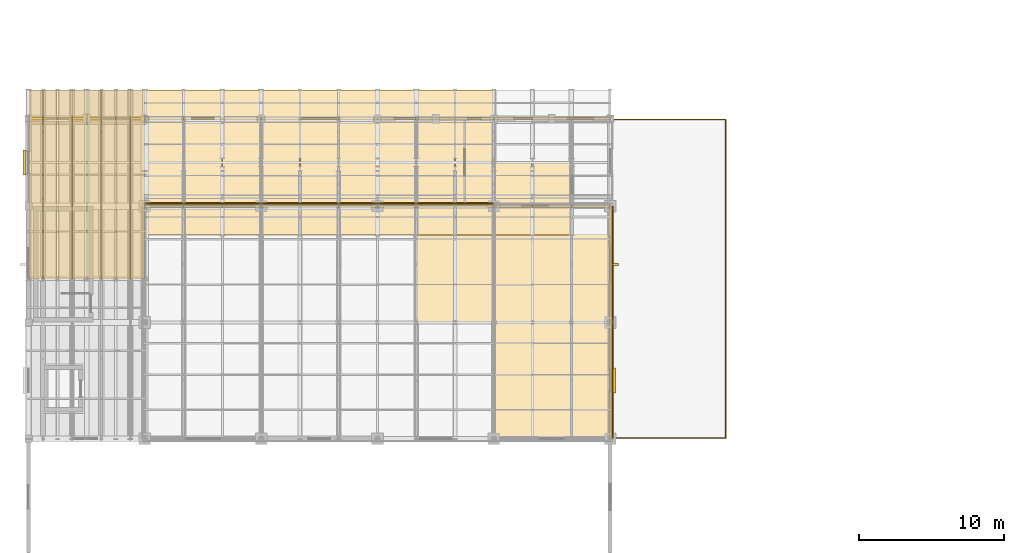
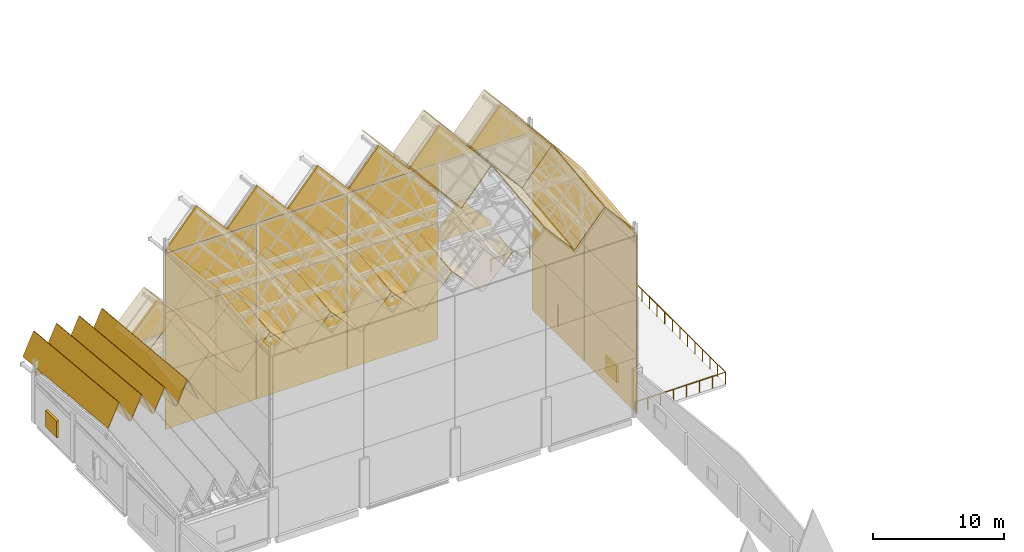
# One storey, part 45 of 48: 55 coverings, 3 shading devices, 1 railing.
"""IFC4 building model written with IfcOpenShell, lengths in metres."""

from ifc_helpers import new_model, si_unit, direction, frame, origin, origin_2d, place, context, subcontext, project, spatial, polyline, rectangle, circle, outline, extrude, material, layer, layer_set, type_object, element, save


model = new_model("IFC4")

# Units and contexts
model_context = context("Model", 3, precision=1e-05, world=origin(), true_north=direction((0.0, 1.0)))
body_context = subcontext(model_context, "Body", "Model", "MODEL_VIEW")
ifc_project = project(units=[si_unit("LENGTHUNIT", "METRE"), si_unit("AREAUNIT", "SQUARE_METRE"), si_unit("VOLUMEUNIT", "CUBIC_METRE"), si_unit("PLANEANGLEUNIT", "RADIAN"), si_unit("MASSUNIT", "GRAM", prefix="KILO")], contexts=[model_context])

# Site, building, storey
site_placement = place(None, origin())
site = spatial("IfcSite", under=ifc_project, at=site_placement, CompositionType="ELEMENT")
building_placement = place(site_placement, origin())
building = spatial("IfcBuilding", under=site, at=building_placement, Name="Luwemba Playhouse", CompositionType="ELEMENT")
storey_placement = place(building_placement, frame((0.0, 0.0, 13.800048828125)))
storey = spatial("IfcBuildingStorey", under=building, at=storey_placement, Name="L03", CompositionType="ELEMENT", Elevation=13.800048828125)

# Coverings
ifc_material_1 = material(Name="Ventilated glazed terracotta rainscreen cladding", Category="masonry")
ifc_layer_1 = layer(ifc_material_1, 0.080078125)
ifc_layer_set_1 = layer_set([ifc_layer_1], Name="Ventilated glazed terracotta rainscreen cladding")
covering_type_1 = type_object("IfcCoveringType", Name="COV-CLAD-TERRA", PredefinedType="CLADDING", material=ifc_layer_set_1)
for number, where, z_axis, x_axis, name in (
    (1, (16.0, 84.179931640625, 0.0), (0.0, 0.0, 1.0), (1.0, 0.0, 0.0), "Fly tower terracotta acoustic cladding 005"),
    (2, (24.0, 84.179931640625, 0.0), (0.0, 0.0, 1.0), (1.0, 0.0, 0.0), "Fly tower terracotta acoustic cladding 006"),
    (3, (32.0, 84.179931640625, 0.0), (0.0, 0.0, 1.0), (1.0, 0.0, 0.0), "Fly tower terracotta acoustic cladding 007"),
    (4, (44.179931640625, 72.0, 0.0), (0.0, 0.0, 1.0), (0.0, 1.0, 0.0), "Fly tower side terracotta cladding 011"),
    (5, (44.179931640625, 80.0, 0.0), (0.0, 0.0, 1.0), (0.0, 1.0, 0.0), "Fly tower side terracotta cladding 012"),
    (6, (16.0, 84.179931640625, 5.39990234375), (0.0, 0.0, 1.0), (1.0, 0.0, 0.0), "Fly tower terracotta acoustic cladding 017"),
    (7, (24.0, 84.179931640625, 5.39990234375), (0.0, 0.0, 1.0), (1.0, 0.0, 0.0), "Fly tower terracotta acoustic cladding 018"),
    (8, (32.0, 84.179931640625, 5.39990234375), (0.0, 0.0, 1.0), (1.0, 0.0, 0.0), "Fly tower terracotta acoustic cladding 019"),
    (9, (44.179931640625, 72.0, 5.39990234375), (0.0, 0.0, 1.0), (0.0, 1.0, 0.0), "Fly tower side terracotta cladding 023"),
    (10, (44.179931640625, 80.0, 5.39990234375), (0.0, 0.0, 1.0), (0.0, 1.0, 0.0), "Fly tower side terracotta cladding 024"),
):
    element("IfcCovering", number, at=place(storey_placement, frame(where, z_axis=z_axis, x_axis=x_axis)), inside=storey, type_object=covering_type_1, Name=name, PredefinedType="CLADDING", context=body_context, shape_type="SweptSolid", body=[
        extrude(rectangle(XDim=7.9599609375, YDim=0.080078125, at=origin_2d()), origin(), (0.0, 0.0, 1.0), 5.39990234375),
    ])
for number, where, z_axis, x_axis, name in (
    (11, (16.0, 84.179931640625, 10.800048828125), (0.0, 0.0, 1.0), (1.0, 0.0, 0.0), "Fly tower terracotta acoustic cladding 029"),
    (12, (24.0, 84.179931640625, 10.800048828125), (0.0, 0.0, 1.0), (1.0, 0.0, 0.0), "Fly tower terracotta acoustic cladding 030"),
    (13, (32.0, 84.179931640625, 10.800048828125), (0.0, 0.0, 1.0), (1.0, 0.0, 0.0), "Fly tower terracotta acoustic cladding 031"),
    (14, (44.179931640625, 72.0, 10.800048828125), (0.0, 0.0, 1.0), (0.0, 1.0, 0.0), "Fly tower side terracotta cladding 035"),
    (15, (44.179931640625, 80.0, 10.800048828125), (0.0, 0.0, 1.0), (0.0, 1.0, 0.0), "Fly tower side terracotta cladding 036"),
):
    element("IfcCovering", number, at=place(storey_placement, frame(where, z_axis=z_axis, x_axis=x_axis)), inside=storey, type_object=covering_type_1, Name=name, PredefinedType="CLADDING", context=body_context, shape_type="SweptSolid", body=[
        extrude(rectangle(XDim=7.9599609375, YDim=0.080078125, at=origin_2d()), origin(), (0.0, 0.0, 1.0), 5.89990234375),
    ])
ifc_material_2 = material(Name="Glazed terracotta clay roof tile", Category="masonry")
ifc_layer_2 = layer(ifc_material_2, 0.06494140625)
ifc_layer_set_2 = layer_set([ifc_layer_2], Name="Glazed terracotta clay roof tile")
covering_type_2 = type_object("IfcCoveringType", Name="COV-ROOF-TILE", PredefinedType="ROOFING", material=ifc_layer_set_2)
covering_1_placement = place(storey_placement, frame((30.691650390625, 76.0, 21.096923828125), z_axis=(0.756352795447, 0.072916976408, 0.65008735057), x_axis=(0.651822492795, 0.0, -0.758371569804)))
element("IfcCovering", 16, at=covering_1_placement, inside=storey, type_object=covering_type_2, Name="RF-V2-FLY glazed clay-tile roofing 8N", PredefinedType="ROOFING", context=body_context, shape_type="SweptSolid", body=[
    extrude(outline(polyline([(0.0, 0.0), (4.014435291315629, 0.0), (4.899078689880471, 10.427660628358066), (0.8846433985648422, 10.427660628358066), (0.0, 0.0)])), origin(), (0.0, 0.0, -1.0), 0.06494140625),
])
covering_2_placement = place(storey_placement, frame((33.3583984375, 76.0, 18.05224609375), z_axis=(-0.756378749266, 0.072913631389, 0.650057528236), x_axis=(0.651792431039, 0.0, 0.758397406931)))
element("IfcCovering", 17, at=covering_2_placement, inside=storey, type_object=covering_type_2, Name="RF-V2-FLY glazed clay-tile roofing 9N", PredefinedType="ROOFING", context=body_context, shape_type="SweptSolid", body=[
    extrude(outline(polyline([(0.0, 0.0), (4.014620443778682, 0.0), (3.12994690610349, 10.427658071425746), (-0.8846735376751924, 10.427658071425745), (0.0, 0.0)])), origin(), (0.0, 0.0, -1.0), 0.06494140625),
])
covering_3_placement = place(storey_placement, frame((36.02490234375, 68.0, 20.199462890625), z_axis=(0.756365684319, -0.072916899741, 0.650072363139), x_axis=(0.651807541617, 1.44137e-06, -0.758384420126)))
element("IfcCovering", 18, at=covering_3_placement, inside=storey, type_object=covering_type_2, Name="RF-V2-FLY glazed clay-tile roofing 10S", PredefinedType="ROOFING", context=body_context, shape_type="SweptSolid", body=[
    extrude(outline(polyline([(0.0, 0.0), (4.014435290531317, 2.7755575615628914e-17), (3.334011581266755, 8.021347863680278), (-0.6806088617108816, 8.021359467409614), (0.0, 0.0)])), origin(), (0.0, 0.0, -1.0), 0.06494140625),
])
covering_4_placement = place(storey_placement, frame((36.02490234375, 76.0, 21.096923828125), z_axis=(0.756378749266, 0.072913631389, 0.650057528236), x_axis=(0.651792431039, 0.0, -0.758397406931)))
element("IfcCovering", 19, at=covering_4_placement, inside=storey, type_object=covering_type_2, Name="RF-V2-FLY glazed clay-tile roofing 10N", PredefinedType="ROOFING", context=body_context, shape_type="SweptSolid", body=[
    extrude(outline(polyline([(0.0, 0.0), (4.014620443778682, 0.0), (4.899293981453875, 10.427658071425745), (0.8846735376751924, 10.427658071425745), (0.0, 0.0)])), origin(), (0.0, 0.0, -1.0), 0.06494140625),
])
covering_5_placement = place(storey_placement, frame((38.691650390625, 68.0, 17.155029296875), z_axis=(-0.756352159839, -0.072928439101, 0.650086804263), x_axis=(0.651822492795, 0.0, 0.758371569804)))
element("IfcCovering", 20, at=covering_5_placement, inside=storey, type_object=covering_type_2, Name="RF-V2-FLY glazed clay-tile roofing 11S", PredefinedType="ROOFING", context=body_context, shape_type="SweptSolid", body=[
    extrude(outline(polyline([(0.0, 0.0), (4.014435291315629, 0.0), (4.695044151324913, 8.02135946794652), (0.6806088600092842, 8.021359467946517), (0.0, 0.0)])), origin(), (0.0, 0.0, -1.0), 0.06494140625),
])
covering_6_placement = place(storey_placement, frame((38.691650390625, 76.0, 18.052490234375), z_axis=(-0.756352795447, 0.072916976408, 0.65008735057), x_axis=(0.651822492795, 0.0, 0.758371569804)))
element("IfcCovering", 21, at=covering_6_placement, inside=storey, type_object=covering_type_2, Name="RF-V2-FLY glazed clay-tile roofing 11N", PredefinedType="ROOFING", context=body_context, shape_type="SweptSolid", body=[
    extrude(outline(polyline([(0.0, 0.0), (4.014435291315629, 0.0), (3.129791892750787, 10.427660628358066), (-0.8846433985648422, 10.427660628358066), (0.0, 0.0)])), origin(), (0.0, 0.0, -1.0), 0.06494140625),
])
covering_7_placement = place(storey_placement, frame((41.3583984375, 68.0, 20.19970703125), z_axis=(0.7563792078, -0.072905360855, 0.650057922316), x_axis=(0.651792431039, 0.0, -0.758397406931)))
element("IfcCovering", 22, at=covering_7_placement, inside=storey, type_object=covering_type_2, Name="RF-V2-FLY glazed clay-tile roofing 12S", PredefinedType="ROOFING", context=body_context, shape_type="SweptSolid", body=[
    extrude(outline(polyline([(0.0, 0.0), (4.014620443778682, 0.0), (3.334173551573506, 8.021345897508905), (-0.6804468922051762, 8.021345897508905), (0.0, 0.0)])), origin(), (0.0, 0.0, -1.0), 0.06494140625),
])
covering_8_placement = place(storey_placement, frame((41.3583984375, 76.0, 21.096923828125), z_axis=(0.756378749266, 0.072913631389, 0.650057528236), x_axis=(0.651792431039, 0.0, -0.758397406931)))
element("IfcCovering", 23, at=covering_8_placement, inside=storey, type_object=covering_type_2, Name="RF-V2-FLY glazed clay-tile roofing 12N", PredefinedType="ROOFING", context=body_context, shape_type="SweptSolid", body=[
    extrude(outline(polyline([(0.0, 0.0), (4.014620443778682, 0.0), (4.899293981453875, 10.427658071425745), (0.8846735376751924, 10.427658071425745), (0.0, 0.0)])), origin(), (0.0, 0.0, -1.0), 0.06494140625),
])
covering_9_placement = place(storey_placement, frame((4.02490234375, 79.0, 6.00439453125), z_axis=(-0.907919315358, 0.038851352843, 0.417340495497), x_axis=(0.417655825152, 0.0, 0.908605311296)))
element("IfcCovering", 24, at=covering_9_placement, inside=storey, type_object=covering_type_2, Name="RF-V2-LOW glazed clay-tile roofing 1N", PredefinedType="ROOFING", context=body_context, shape_type="SweptSolid", body=[
    extrude(outline(polyline([(0.0, 0.0), (2.2750677837502145, 6.938893903907228e-18), (1.1754690220078445, 13.009822400566975), (-1.0995987617423697, 13.009822400566975), (0.0, 0.0)])), origin(), (0.0, 0.0, -1.0), 0.06494140625),
])
covering_10_placement = place(storey_placement, frame((5.02490234375, 79.0, 8.071533203125), z_axis=(0.907919315358, 0.038851352843, 0.417340495497), x_axis=(0.417655825152, 0.0, -0.908605311296)))
element("IfcCovering", 25, at=covering_10_placement, inside=storey, type_object=covering_type_2, Name="RF-V2-LOW glazed clay-tile roofing 2N", PredefinedType="ROOFING", context=body_context, shape_type="SweptSolid", body=[
    extrude(outline(polyline([(0.0, 0.0), (2.2750677837502145, -6.938893903907228e-18), (3.374666545492584, 13.009822400566973), (1.0995987617423697, 13.009822400566975), (0.0, 0.0)])), origin(), (0.0, 0.0, -1.0), 0.06494140625),
])
covering_11_placement = place(storey_placement, frame((6.02490234375, 79.0, 6.00439453125), z_axis=(-0.907919315358, 0.038851352843, 0.417340495497), x_axis=(0.417655825152, 0.0, 0.908605311296)))
element("IfcCovering", 26, at=covering_11_placement, inside=storey, type_object=covering_type_2, Name="RF-V2-LOW glazed clay-tile roofing 3N", PredefinedType="ROOFING", context=body_context, shape_type="SweptSolid", body=[
    extrude(outline(polyline([(0.0, 0.0), (2.2750677837502145, 6.938893903907228e-18), (1.1754690220078445, 13.009822400566975), (-1.0995987617423697, 13.009822400566975), (0.0, 0.0)])), origin(), (0.0, 0.0, -1.0), 0.06494140625),
])
covering_12_placement = place(storey_placement, frame((7.02490234375, 79.0, 8.071533203125), z_axis=(0.907919315358, 0.038851352843, 0.417340495497), x_axis=(0.417655825152, 0.0, -0.908605311296)))
element("IfcCovering", 27, at=covering_12_placement, inside=storey, type_object=covering_type_2, Name="RF-V2-LOW glazed clay-tile roofing 4N", PredefinedType="ROOFING", context=body_context, shape_type="SweptSolid", body=[
    extrude(outline(polyline([(0.0, 0.0), (2.2750677837502145, -6.938893903907228e-18), (3.374666545492584, 13.009822400566973), (1.0995987617423697, 13.009822400566975), (0.0, 0.0)])), origin(), (0.0, 0.0, -1.0), 0.06494140625),
])
covering_13_placement = place(storey_placement, frame((8.02490234375, 79.0, 6.00439453125), z_axis=(-0.907919315358, 0.038851352843, 0.417340495497), x_axis=(0.417655825152, 0.0, 0.908605311296)))
element("IfcCovering", 28, at=covering_13_placement, inside=storey, type_object=covering_type_2, Name="RF-V2-LOW glazed clay-tile roofing 5N", PredefinedType="ROOFING", context=body_context, shape_type="SweptSolid", body=[
    extrude(outline(polyline([(0.0, 0.0), (2.2750677837502145, 6.938893903907228e-18), (1.1754690220078445, 13.009822400566975), (-1.0995987617423697, 13.009822400566975), (0.0, 0.0)])), origin(), (0.0, 0.0, -1.0), 0.06494140625),
])
covering_14_placement = place(storey_placement, frame((9.02490234375, 79.0, 8.071533203125), z_axis=(0.907919315358, 0.038851352843, 0.417340495497), x_axis=(0.417655825152, 0.0, -0.908605311296)))
element("IfcCovering", 29, at=covering_14_placement, inside=storey, type_object=covering_type_2, Name="RF-V2-LOW glazed clay-tile roofing 6N", PredefinedType="ROOFING", context=body_context, shape_type="SweptSolid", body=[
    extrude(outline(polyline([(0.0, 0.0), (2.2750677837502145, -6.938893903907228e-18), (3.374666545492584, 13.009822400566973), (1.0995987617423697, 13.009822400566975), (0.0, 0.0)])), origin(), (0.0, 0.0, -1.0), 0.06494140625),
])
covering_15_placement = place(storey_placement, frame((10.02490234375, 79.0, 6.00439453125), z_axis=(-0.907919315358, 0.038851352843, 0.417340495497), x_axis=(0.417655825152, 0.0, 0.908605311296)))
element("IfcCovering", 30, at=covering_15_placement, inside=storey, type_object=covering_type_2, Name="RF-V2-LOW glazed clay-tile roofing 7N", PredefinedType="ROOFING", context=body_context, shape_type="SweptSolid", body=[
    extrude(outline(polyline([(0.0, 0.0), (2.2750677837502145, 6.938893903907228e-18), (1.1754690220078445, 13.009822400566975), (-1.0995987617423697, 13.009822400566975), (0.0, 0.0)])), origin(), (0.0, 0.0, -1.0), 0.06494140625),
])
covering_16_placement = place(storey_placement, frame((11.02490234375, 79.0, 8.071533203125), z_axis=(0.907919315358, 0.038851352843, 0.417340495497), x_axis=(0.417655825152, 0.0, -0.908605311296)))
element("IfcCovering", 31, at=covering_16_placement, inside=storey, type_object=covering_type_2, Name="RF-V2-LOW glazed clay-tile roofing 8N", PredefinedType="ROOFING", context=body_context, shape_type="SweptSolid", body=[
    extrude(outline(polyline([(0.0, 0.0), (2.2750677837502145, -6.938893903907228e-18), (3.374666545492584, 13.009822400566973), (1.0995987617423697, 13.009822400566975), (0.0, 0.0)])), origin(), (0.0, 0.0, -1.0), 0.06494140625),
])
covering_17_placement = place(storey_placement, frame((12.02490234375, 82.0, 4.728515625), z_axis=(-0.729679064046, -0.076214760844, 0.679529082322), x_axis=(0.681511308934, 0.0, 0.731807581127)))
element("IfcCovering", 32, at=covering_17_placement, inside=storey, type_object=covering_type_2, Name="RF-V2-NORTH glazed clay-tile roofing 1S", PredefinedType="ROOFING", context=body_context, shape_type="SweptSolid", body=[
    extrude(outline(polyline([(0.0, 0.0), (3.8395536280142, 0.0), (4.249944744676563, 5.014585296370015), (0.4103911166623626, 5.014585296370014), (0.0, 0.0)])), origin(), (0.0, 0.0, -1.0), 0.06494140625),
])
for number, where, z_axis, x_axis, name in (
    (33, (12.02490234375, 87.0, 5.289306640625), (-0.729679064046, 0.076214760844, 0.679529082322), (0.681511308934, 0.0, 0.731807581127), "RF-V2-NORTH glazed clay-tile roofing 1N"),
    (34, (14.691650390625, 82.0, 7.538330078125), (0.729679064046, -0.076214760844, 0.679529082322), (0.681511308934, 0.0, -0.731807581127), "RF-V2-NORTH glazed clay-tile roofing 2S"),
):
    element("IfcCovering", number, at=place(storey_placement, frame(where, z_axis=z_axis, x_axis=x_axis)), inside=storey, type_object=covering_type_2, Name=name, PredefinedType="ROOFING", context=body_context, shape_type="SweptSolid", body=[
        extrude(outline(polyline([(0.0, 0.0), (3.8395536280142, 0.0), (3.4291625113518376, 5.014585296370014), (-0.4103911166623626, 5.014585296370014), (0.0, 0.0)])), origin(), (0.0, 0.0, -1.0), 0.06494140625),
    ])
for number, where, z_axis, x_axis, name in (
    (35, (14.691650390625, 87.0, 8.09912109375), (0.729679064046, 0.076214760844, 0.679529082322), (0.681511308934, 0.0, -0.731807581127), "RF-V2-NORTH glazed clay-tile roofing 2N"),
    (36, (17.3583984375, 82.0, 4.728515625), (-0.729679064046, -0.076214760844, 0.679529082322), (0.681511308934, 0.0, 0.731807581127), "RF-V2-NORTH glazed clay-tile roofing 3S"),
):
    element("IfcCovering", number, at=place(storey_placement, frame(where, z_axis=z_axis, x_axis=x_axis)), inside=storey, type_object=covering_type_2, Name=name, PredefinedType="ROOFING", context=body_context, shape_type="SweptSolid", body=[
        extrude(outline(polyline([(0.0, 0.0), (3.8395536280142, 0.0), (4.249944744676563, 5.014585296370015), (0.4103911166623626, 5.014585296370014), (0.0, 0.0)])), origin(), (0.0, 0.0, -1.0), 0.06494140625),
    ])
for number, where, z_axis, x_axis, name in (
    (37, (17.3583984375, 87.0, 5.289306640625), (-0.729679064046, 0.076214760844, 0.679529082322), (0.681511308934, 0.0, 0.731807581127), "RF-V2-NORTH glazed clay-tile roofing 3N"),
    (38, (20.02490234375, 82.0, 7.538330078125), (0.729679064046, -0.076214760844, 0.679529082322), (0.681511308934, 0.0, -0.731807581127), "RF-V2-NORTH glazed clay-tile roofing 4S"),
):
    element("IfcCovering", number, at=place(storey_placement, frame(where, z_axis=z_axis, x_axis=x_axis)), inside=storey, type_object=covering_type_2, Name=name, PredefinedType="ROOFING", context=body_context, shape_type="SweptSolid", body=[
        extrude(outline(polyline([(0.0, 0.0), (3.8395536280142, 0.0), (3.4291625113518376, 5.014585296370014), (-0.4103911166623626, 5.014585296370014), (0.0, 0.0)])), origin(), (0.0, 0.0, -1.0), 0.06494140625),
    ])
for number, where, z_axis, x_axis, name in (
    (39, (20.02490234375, 87.0, 8.09912109375), (0.729679064046, 0.076214760844, 0.679529082322), (0.681511308934, 0.0, -0.731807581127), "RF-V2-NORTH glazed clay-tile roofing 4N"),
    (40, (22.691650390625, 82.0, 4.728515625), (-0.729679064046, -0.076214760844, 0.679529082322), (0.681511308934, 0.0, 0.731807581127), "RF-V2-NORTH glazed clay-tile roofing 5S"),
):
    element("IfcCovering", number, at=place(storey_placement, frame(where, z_axis=z_axis, x_axis=x_axis)), inside=storey, type_object=covering_type_2, Name=name, PredefinedType="ROOFING", context=body_context, shape_type="SweptSolid", body=[
        extrude(outline(polyline([(0.0, 0.0), (3.8395536280142, 0.0), (4.249944744676563, 5.014585296370015), (0.4103911166623626, 5.014585296370014), (0.0, 0.0)])), origin(), (0.0, 0.0, -1.0), 0.06494140625),
    ])
for number, where, z_axis, x_axis, name in (
    (41, (22.691650390625, 87.0, 5.289306640625), (-0.729679064046, 0.076214760844, 0.679529082322), (0.681511308934, 0.0, 0.731807581127), "RF-V2-NORTH glazed clay-tile roofing 5N"),
    (42, (25.3583984375, 82.0, 7.538330078125), (0.729679064046, -0.076214760844, 0.679529082322), (0.681511308934, 0.0, -0.731807581127), "RF-V2-NORTH glazed clay-tile roofing 6S"),
):
    element("IfcCovering", number, at=place(storey_placement, frame(where, z_axis=z_axis, x_axis=x_axis)), inside=storey, type_object=covering_type_2, Name=name, PredefinedType="ROOFING", context=body_context, shape_type="SweptSolid", body=[
        extrude(outline(polyline([(0.0, 0.0), (3.8395536280142, 0.0), (3.4291625113518376, 5.014585296370014), (-0.4103911166623626, 5.014585296370014), (0.0, 0.0)])), origin(), (0.0, 0.0, -1.0), 0.06494140625),
    ])
for number, where, z_axis, x_axis, name in (
    (43, (25.3583984375, 87.0, 8.09912109375), (0.729679064046, 0.076214760844, 0.679529082322), (0.681511308934, 0.0, -0.731807581127), "RF-V2-NORTH glazed clay-tile roofing 6N"),
    (44, (28.02490234375, 82.0, 4.728515625), (-0.729679064046, -0.076214760844, 0.679529082322), (0.681511308934, 0.0, 0.731807581127), "RF-V2-NORTH glazed clay-tile roofing 7S"),
):
    element("IfcCovering", number, at=place(storey_placement, frame(where, z_axis=z_axis, x_axis=x_axis)), inside=storey, type_object=covering_type_2, Name=name, PredefinedType="ROOFING", context=body_context, shape_type="SweptSolid", body=[
        extrude(outline(polyline([(0.0, 0.0), (3.8395536280142, 0.0), (4.249944744676563, 5.014585296370015), (0.4103911166623626, 5.014585296370014), (0.0, 0.0)])), origin(), (0.0, 0.0, -1.0), 0.06494140625),
    ])
for number, where, z_axis, x_axis, name in (
    (45, (28.02490234375, 87.0, 5.289306640625), (-0.729679064046, 0.076214760844, 0.679529082322), (0.681511308934, 0.0, 0.731807581127), "RF-V2-NORTH glazed clay-tile roofing 7N"),
    (46, (30.691650390625, 82.0, 7.538330078125), (0.729679064046, -0.076214760844, 0.679529082322), (0.681511308934, 0.0, -0.731807581127), "RF-V2-NORTH glazed clay-tile roofing 8S"),
):
    element("IfcCovering", number, at=place(storey_placement, frame(where, z_axis=z_axis, x_axis=x_axis)), inside=storey, type_object=covering_type_2, Name=name, PredefinedType="ROOFING", context=body_context, shape_type="SweptSolid", body=[
        extrude(outline(polyline([(0.0, 0.0), (3.8395536280142, 0.0), (3.4291625113518376, 5.014585296370014), (-0.4103911166623626, 5.014585296370014), (0.0, 0.0)])), origin(), (0.0, 0.0, -1.0), 0.06494140625),
    ])
for number, where, z_axis, x_axis, name in (
    (47, (30.691650390625, 87.0, 8.09912109375), (0.729679064046, 0.076214760844, 0.679529082322), (0.681511308934, 0.0, -0.731807581127), "RF-V2-NORTH glazed clay-tile roofing 8N"),
    (48, (33.3583984375, 82.0, 4.728515625), (-0.729679064046, -0.076214760844, 0.679529082322), (0.681511308934, 0.0, 0.731807581127), "RF-V2-NORTH glazed clay-tile roofing 9S"),
):
    element("IfcCovering", number, at=place(storey_placement, frame(where, z_axis=z_axis, x_axis=x_axis)), inside=storey, type_object=covering_type_2, Name=name, PredefinedType="ROOFING", context=body_context, shape_type="SweptSolid", body=[
        extrude(outline(polyline([(0.0, 0.0), (3.8395536280142, 0.0), (4.249944744676563, 5.014585296370015), (0.4103911166623626, 5.014585296370014), (0.0, 0.0)])), origin(), (0.0, 0.0, -1.0), 0.06494140625),
    ])
for number, where, z_axis, x_axis, name in (
    (49, (33.3583984375, 87.0, 5.289306640625), (-0.729679064046, 0.076214760844, 0.679529082322), (0.681511308934, 0.0, 0.731807581127), "RF-V2-NORTH glazed clay-tile roofing 9N"),
    (50, (36.02490234375, 82.0, 7.538330078125), (0.729679064046, -0.076214760844, 0.679529082322), (0.681511308934, 0.0, -0.731807581127), "RF-V2-NORTH glazed clay-tile roofing 10S"),
):
    element("IfcCovering", number, at=place(storey_placement, frame(where, z_axis=z_axis, x_axis=x_axis)), inside=storey, type_object=covering_type_2, Name=name, PredefinedType="ROOFING", context=body_context, shape_type="SweptSolid", body=[
        extrude(outline(polyline([(0.0, 0.0), (3.8395536280142, 0.0), (3.4291625113518376, 5.014585296370014), (-0.4103911166623626, 5.014585296370014), (0.0, 0.0)])), origin(), (0.0, 0.0, -1.0), 0.06494140625),
    ])
covering_18_placement = place(storey_placement, frame((38.691650390625, 82.0, 4.728515625), z_axis=(-0.729679064046, -0.076214760844, 0.679529082322), x_axis=(0.681511308934, 0.0, 0.731807581127)))
element("IfcCovering", 51, at=covering_18_placement, inside=storey, type_object=covering_type_2, Name="RF-V2-NORTH glazed clay-tile roofing 11S", PredefinedType="ROOFING", context=body_context, shape_type="SweptSolid", body=[
    extrude(outline(polyline([(0.0, 0.0), (3.8395536280142, 0.0), (4.249944744676563, 5.014585296370015), (0.4103911166623626, 5.014585296370014), (0.0, 0.0)])), origin(), (0.0, 0.0, -1.0), 0.06494140625),
])
ifc_material_3 = material(Name="Structural timber GL24h gable wall infill", Category="wood")
ifc_layer_3 = layer(ifc_material_3, 0.179931640625)
ifc_layer_set_3 = layer_set([ifc_layer_3], Name="Structural timber GL24h gable wall infill")
covering_type_3 = type_object("IfcCoveringType", Name="COV-TIM-TYMP", PredefinedType="CLADDING", material=ifc_layer_set_3)
covering_19_placement = place(storey_placement, frame((12.0, 84.0, 16.52001953125), z_axis=(0.0, 0.0, 1.0), x_axis=(1.0, 0.0, 0.0)))
element("IfcCovering", 52, at=covering_19_placement, inside=storey, type_object=covering_type_3, Name="RF-V2-FLY north pleated timber fold wall 005", PredefinedType="CLADDING", context=body_context, shape_type="SweptSolid", body=[
    extrude(outline(polyline([(0.0, 0.0), (32.0, 0.0), (32.0, 0.375), (29.333251953125, 3.4775390625), (26.666748046875, 0.375), (24.0, 3.4775390625), (21.333251953125, 0.375), (18.666748046875, 3.4775390625), (16.0, 0.375), (13.333251953125, 3.4775390625), (10.666748046875, 0.375), (8.0, 3.4775390625), (5.333251953125, 0.375), (2.666748046875, 3.4775390625), (0.0, 0.375), (0.0, 0.0)])), frame((0.0, 0.08984375, 0.0), z_axis=(0.0, -1.0, 0.0), x_axis=(1.0, 0.0, 0.0)), (0.0, 0.0, 1.0), 0.179931640625),
])
covering_20_placement = place(storey_placement, frame((44.0, 84.0, 15.97998046875), z_axis=(0.0, 0.0, 1.0), x_axis=(0.0, -1.0, 0.0)))
element("IfcCovering", 53, at=covering_20_placement, inside=storey, type_object=covering_type_3, Name="RF-V2-FLY east timber gable infill 007", PredefinedType="CLADDING", context=body_context, shape_type="SweptSolid", body=[
    extrude(outline(polyline([(0.0, 0.0), (16.0, 0.0), (16.0, 0.9150390625), (8.0, 1.812255859375), (0.0, 0.9150390625), (0.0, 0.0)])), frame((0.0, 0.08984375, 0.0), z_axis=(0.0, -1.0, 0.0), x_axis=(1.0, 0.0, 0.0)), (0.0, 0.0, 1.0), 0.179931640625),
])
covering_21_placement = place(storey_placement, frame((4.0, 90.0, 4.320068359375), z_axis=(0.0, 0.0, 1.0), x_axis=(1.0, 0.0, 0.0)))
element("IfcCovering", 54, at=covering_21_placement, inside=storey, type_object=covering_type_3, Name="RF-V2-LOW north pleated timber fold wall 008", PredefinedType="CLADDING", context=body_context, shape_type="SweptSolid", body=[
    extrude(outline(polyline([(0.0, 0.0), (8.0, 0.0), (8.0, 0.375), (7.0, 2.55078125), (6.0, 0.375), (5.0, 2.55078125), (4.0, 0.375), (3.0, 2.55078125), (2.0, 0.375), (1.0, 2.55078125), (0.0, 0.375), (0.0, 0.0)])), frame((0.0, 0.08984375, 0.0), z_axis=(0.0, -1.0, 0.0), x_axis=(1.0, 0.0, 0.0)), (0.0, 0.0, 1.0), 0.179931640625),
])
covering_22_placement = place(storey_placement, frame((12.0, 90.0, 4.320068359375), z_axis=(0.0, 0.0, 1.0), x_axis=(1.0, 0.0, 0.0)))
element("IfcCovering", 55, at=covering_22_placement, inside=storey, type_object=covering_type_3, Name="RF-V2-NORTH north pleated timber fold wall 010", PredefinedType="CLADDING", context=body_context, shape_type="SweptSolid", body=[
    extrude(outline(polyline([(0.0, 0.0), (32.0, 0.0), (32.0, 0.375), (29.333251953125, 3.23828125), (26.666748046875, 0.375), (24.0, 3.23828125), (21.333251953125, 0.375), (18.666748046875, 3.23828125), (16.0, 0.375), (13.333251953125, 3.23828125), (10.666748046875, 0.375), (8.0, 3.23828125), (5.333251953125, 0.375), (2.666748046875, 3.23828125), (0.0, 0.375), (0.0, 0.0)])), frame((0.0, 0.08984375, 0.0), z_axis=(0.0, -1.0, 0.0), x_axis=(1.0, 0.0, 0.0)), (0.0, 0.0, 1.0), 0.179931640625),
])

# Railing
ifc_material_4 = material(Name="Painted wrought-iron balustrade", Category="steel")
railing_type = type_object("IfcRailingType", Name="RLG-BAL-EXT", PredefinedType="BALUSTRADE", material=ifc_material_4)
railing_placement = place(storey_placement, frame((44.0, 68.050048828125, 0.0)))
element("IfcRailing", 56, at=railing_placement, inside=storey, type_object=railing_type, Name="L03 Stage House East Terrace perimeter guard", PredefinedType="BALUSTRADE", context=body_context, shape_type="SweptSolid", body=[
    extrude(circle(Radius=0.02392578125, at=origin_2d()), frame((0.0, 0.0, 1.09619140625), z_axis=(1.0, 0.0, 0.0), x_axis=(0.0, 1.0, 0.0)), (0.0, 0.0, 1.0), 7.949951171875),
    extrude(circle(Radius=0.02392578125, at=origin_2d()), frame((7.949951171875, 0.0, 1.09619140625), z_axis=(0.0, 1.0, 0.0), x_axis=(-1.0, 0.0, 0.0)), (0.0, 0.0, 1.0), 21.89990234375),
    extrude(circle(Radius=0.02392578125, at=origin_2d()), frame((7.949951171875, 21.89990234375, 1.09619140625), z_axis=(-1.0, 0.0, 0.0), x_axis=(0.0, -1.0, 0.0)), (0.0, 0.0, 1.0), 7.949951171875),
    extrude(circle(Radius=0.02099609375, at=origin_2d()), origin(), (0.0, 0.0, 1.0), 1.072021484375),
    extrude(circle(Radius=0.02099609375, at=origin_2d()), frame((1.1357421875, 0.0, 0.0)), (0.0, 0.0, 1.0), 1.072021484375),
    extrude(circle(Radius=0.02099609375, at=origin_2d()), frame((2.271484375, 0.0, 0.0)), (0.0, 0.0, 1.0), 1.072021484375),
    extrude(circle(Radius=0.02099609375, at=origin_2d()), frame((3.4072265625, 0.0, 0.0)), (0.0, 0.0, 1.0), 1.072021484375),
    extrude(circle(Radius=0.02099609375, at=origin_2d()), frame((4.542724609375, 0.0, 0.0)), (0.0, 0.0, 1.0), 1.072021484375),
    extrude(circle(Radius=0.02099609375, at=origin_2d()), frame((5.678466796875, 0.0, 0.0)), (0.0, 0.0, 1.0), 1.072021484375),
    extrude(circle(Radius=0.02099609375, at=origin_2d()), frame((6.814208984375, 0.0, 0.0)), (0.0, 0.0, 1.0), 1.072021484375),
    extrude(circle(Radius=0.02099609375, at=origin_2d()), frame((7.949951171875, 0.0, 0.0)), (0.0, 0.0, 1.0), 1.072021484375),
    extrude(circle(Radius=0.02099609375, at=origin_2d()), frame((7.949951171875, 1.152587890625, 0.0)), (0.0, 0.0, 1.0), 1.072021484375),
    extrude(circle(Radius=0.02099609375, at=origin_2d()), frame((7.949951171875, 2.30517578125, 0.0)), (0.0, 0.0, 1.0), 1.072021484375),
    extrude(circle(Radius=0.02099609375, at=origin_2d()), frame((7.949951171875, 3.457763671875, 0.0)), (0.0, 0.0, 1.0), 1.072021484375),
    extrude(circle(Radius=0.02099609375, at=origin_2d()), frame((7.949951171875, 4.610595703125, 0.0)), (0.0, 0.0, 1.0), 1.072021484375),
    extrude(circle(Radius=0.02099609375, at=origin_2d()), frame((7.949951171875, 5.76318359375, 0.0)), (0.0, 0.0, 1.0), 1.072021484375),
    extrude(circle(Radius=0.02099609375, at=origin_2d()), frame((7.949951171875, 6.915771484375, 0.0)), (0.0, 0.0, 1.0), 1.072021484375),
    extrude(circle(Radius=0.02099609375, at=origin_2d()), frame((7.949951171875, 8.068359375, 0.0)), (0.0, 0.0, 1.0), 1.072021484375),
    extrude(circle(Radius=0.02099609375, at=origin_2d()), frame((7.949951171875, 9.220947265625, 0.0)), (0.0, 0.0, 1.0), 1.072021484375),
    extrude(circle(Radius=0.02099609375, at=origin_2d()), frame((7.949951171875, 10.37353515625, 0.0)), (0.0, 0.0, 1.0), 1.072021484375),
    extrude(circle(Radius=0.02099609375, at=origin_2d()), frame((7.949951171875, 11.5263671875, 0.0)), (0.0, 0.0, 1.0), 1.072021484375),
    extrude(circle(Radius=0.02099609375, at=origin_2d()), frame((7.949951171875, 12.678955078125, 0.0)), (0.0, 0.0, 1.0), 1.072021484375),
    extrude(circle(Radius=0.02099609375, at=origin_2d()), frame((7.949951171875, 13.83154296875, 0.0)), (0.0, 0.0, 1.0), 1.072021484375),
    extrude(circle(Radius=0.02099609375, at=origin_2d()), frame((7.949951171875, 14.984130859375, 0.0)), (0.0, 0.0, 1.0), 1.072021484375),
    extrude(circle(Radius=0.02099609375, at=origin_2d()), frame((7.949951171875, 16.13671875, 0.0)), (0.0, 0.0, 1.0), 1.072021484375),
    extrude(circle(Radius=0.02099609375, at=origin_2d()), frame((7.949951171875, 17.289306640625, 0.0)), (0.0, 0.0, 1.0), 1.072021484375),
    extrude(circle(Radius=0.02099609375, at=origin_2d()), frame((7.949951171875, 18.442138671875, 0.0)), (0.0, 0.0, 1.0), 1.072021484375),
    extrude(circle(Radius=0.02099609375, at=origin_2d()), frame((7.949951171875, 19.5947265625, 0.0)), (0.0, 0.0, 1.0), 1.072021484375),
    extrude(circle(Radius=0.02099609375, at=origin_2d()), frame((7.949951171875, 20.747314453125, 0.0)), (0.0, 0.0, 1.0), 1.072021484375),
    extrude(circle(Radius=0.02099609375, at=origin_2d()), frame((7.949951171875, 21.89990234375, 0.0)), (0.0, 0.0, 1.0), 1.072021484375),
    extrude(circle(Radius=0.02099609375, at=origin_2d()), frame((6.814208984375, 21.89990234375, 0.0)), (0.0, 0.0, 1.0), 1.072021484375),
    extrude(circle(Radius=0.02099609375, at=origin_2d()), frame((5.678466796875, 21.89990234375, 0.0)), (0.0, 0.0, 1.0), 1.072021484375),
    extrude(circle(Radius=0.02099609375, at=origin_2d()), frame((4.542724609375, 21.89990234375, 0.0)), (0.0, 0.0, 1.0), 1.072021484375),
    extrude(circle(Radius=0.02099609375, at=origin_2d()), frame((3.4072265625, 21.89990234375, 0.0)), (0.0, 0.0, 1.0), 1.072021484375),
    extrude(circle(Radius=0.02099609375, at=origin_2d()), frame((2.271484375, 21.89990234375, 0.0)), (0.0, 0.0, 1.0), 1.072021484375),
    extrude(circle(Radius=0.02099609375, at=origin_2d()), frame((1.1357421875, 21.89990234375, 0.0)), (0.0, 0.0, 1.0), 1.072021484375),
    extrude(circle(Radius=0.02099609375, at=origin_2d()), frame((0.0, 21.89990234375, 0.0)), (0.0, 0.0, 1.0), 1.072021484375),
])

# Shading devices
ifc_material_5 = material(Name="Extruded terracotta brise-soleil fin on steel bracket", Category="masonry")
shading_device_type_1 = type_object("IfcShadingDeviceType", Name="SHD-BRISE", PredefinedType="USERDEFINED", material=ifc_material_5)
shading_device_placement = place(storey_placement, frame((44.360107421875, 80.0, 0.82470703125), z_axis=(0.0, 0.0, 1.0), x_axis=(0.0, -1.0, 0.0)))
element("IfcShadingDevice", 57, at=shading_device_placement, inside=storey, type_object=shading_device_type_1, Name="L03 terracotta brise-soleil fin 071", ObjectType="TERRACOTTA BRISE SOLEIL", PredefinedType="USERDEFINED", context=body_context, shape_type="SweptSolid", body=[
    extrude(rectangle(XDim=0.139892578125, YDim=0.449951171875, at=origin_2d()), origin(), (0.0, 0.0, 1.0), 2.050048828125),
])
ifc_material_6 = material(Name="Kiln-fired terracotta gelosia louvre screen", Category="masonry")
shading_device_type_2 = type_object("IfcShadingDeviceType", Name="SHD-GELOSIA", PredefinedType="JALOUSIE", material=ifc_material_6)
for number, where, z_axis, x_axis, name in (
    (58, (3.72509765625, 87.0, 0.9248046875), (0.0, 0.0, 1.0), (0.0, 1.0, 0.0), "L03 fired-clay gelosia screen 070"),
    (59, (44.27490234375, 72.0, 0.9248046875), (0.0, 0.0, 1.0), (0.0, -1.0, 0.0), "L03 fired-clay gelosia screen 072"),
):
    element("IfcShadingDevice", number, at=place(storey_placement, frame(where, z_axis=z_axis, x_axis=x_axis)), inside=storey, type_object=shading_device_type_2, Name=name, PredefinedType="JALOUSIE", context=body_context, shape_type="SweptSolid", body=[
        extrude(rectangle(XDim=1.699951171875, YDim=0.179931640625, at=origin_2d()), origin(), (0.0, 0.0, 1.0), 1.550048828125),
    ])

save(model, "model.ifc")
